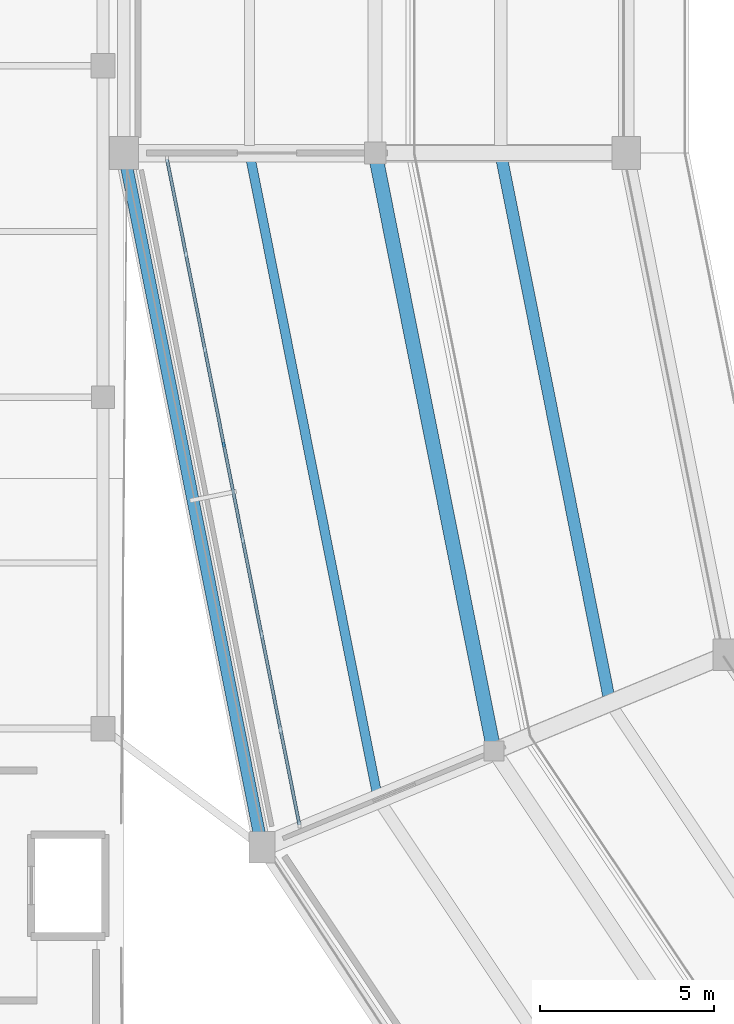
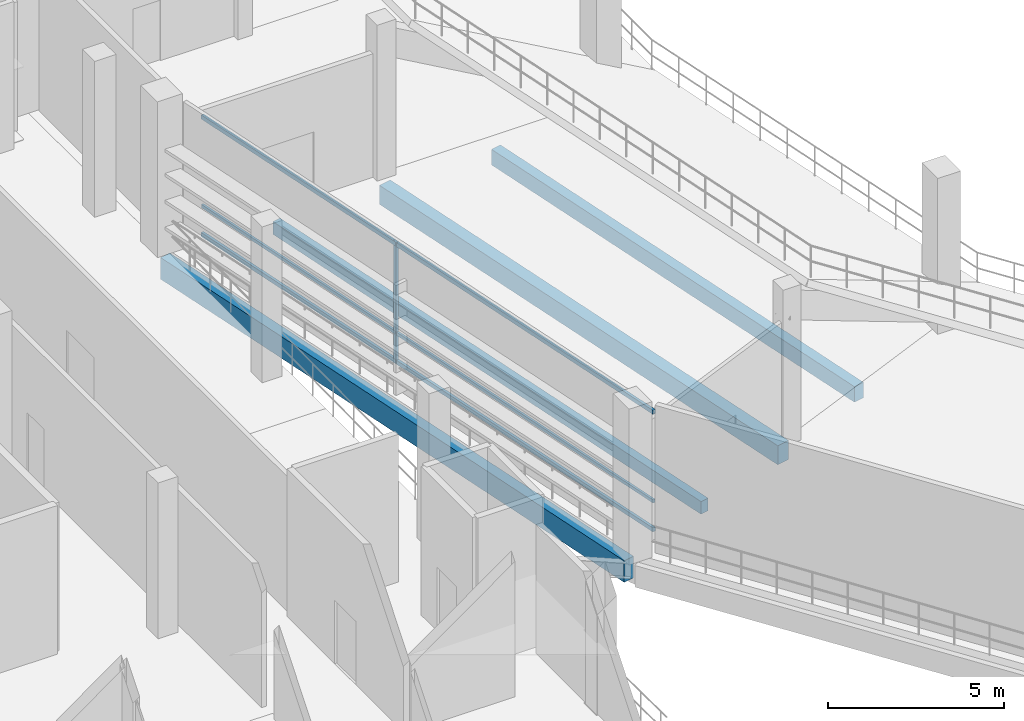
# One storey, part 19 of 127: 4 beams, 4 members, 1 element without a shape of its own.
"""IFC4 building model written with IfcOpenShell, lengths in metres."""

from ifc_helpers import new_model, si_unit, direction, frame, origin, origin_2d, place, context, subcontext, project, spatial, rectangle, extrude, material, material_profile, profile_set, type_object, element, aggregate, save


model = new_model("IFC4")

# Units and contexts
model_context = context("Model", 3, precision=1e-05, world=origin(), true_north=direction((0.0, 1.0)))
body_context = subcontext(model_context, "Body", "Model", "MODEL_VIEW")
ifc_project = project(units=[si_unit("LENGTHUNIT", "METRE"), si_unit("AREAUNIT", "SQUARE_METRE"), si_unit("VOLUMEUNIT", "CUBIC_METRE"), si_unit("PLANEANGLEUNIT", "RADIAN"), si_unit("MASSUNIT", "GRAM", prefix="KILO")], contexts=[model_context])

# Site, building, storey
site_placement = place(None, origin())
site = spatial("IfcSite", under=ifc_project, at=site_placement, CompositionType="ELEMENT")
building_placement = place(site_placement, origin())
building = spatial("IfcBuilding", under=site, at=building_placement, Name="Candeia Ridge Stadium", CompositionType="ELEMENT")
storey_placement = place(building_placement, frame((0.0, 0.0, 10.800048828125)))
storey = spatial("IfcBuildingStorey", under=building, at=storey_placement, Name="L02", CompositionType="ELEMENT", Elevation=10.800048828125)

# Curtain wall, members
ifc_material_1 = material(Name="Aluminium Anodized Warm Bronze", Category="aluminium")
curtain_wall_type = type_object("IfcCurtainWallType", Name="Concourse Recessed Unitised Curtain Wall", PredefinedType="NOTDEFINED", material=ifc_material_1)
curtain_wall_placement = place(storey_placement, origin())
curtain_wall = element("IfcCurtainWall", 1, at=curtain_wall_placement, inside=storey, type_object=curtain_wall_type, Name="Unitised curtain wall CW-BWL-L02-14", PredefinedType="NOTDEFINED")
ifc_material_profile_1 = material_profile(ifc_material_1, rectangle(XDim=0.074951171875, YDim=0.14990234375, at=origin_2d()), Name="CWM-75x150", Category="aluminium")
ifc_profile_set_1 = profile_set([ifc_material_profile_1], Name="Aluminium Anodized Warm Bronze")
member_type_1 = type_object("IfcMemberType", Name="Curtain Wall Secondary Mullion 75x150", PredefinedType="MULLION", material=ifc_profile_set_1)
member_1_placement = place(storey_placement, frame((21.8623046875, 62.643310546875, 0.0), z_axis=(0.0, 0.0, 1.0), x_axis=(1.0, 0.0, 0.0)))
member_1 = element("IfcMember", 2, at=member_1_placement, type_object=member_type_1, Name="Curtain wall mullion CW-BWL-L02-14-M3", PredefinedType="MULLION", context=body_context, shape_type="SweptSolid", body=[
    extrude(rectangle(XDim=0.074951171875, YDim=0.14990234375, at=origin_2d()), origin(), (0.0, 0.0, 1.0), 4.21484375),
])
ifc_material_profile_2 = material_profile(ifc_material_1, rectangle(XDim=0.074951171875, YDim=0.110107421875, at=origin_2d()), Name="CWT-75x110", Category="aluminium")
ifc_profile_set_2 = profile_set([ifc_material_profile_2], Name="Aluminium Anodized Warm Bronze")
member_type_2 = type_object("IfcMemberType", Name="Curtain Wall Secondary Transom 75x110", PredefinedType="USERDEFINED", material=ifc_profile_set_2)
member_2_placement = place(storey_placement, frame((20.235107421875, 70.823486328125, 1.0537109375), z_axis=(0.195085896803, -0.980786160623, 0.0), x_axis=(0.980786160623, 0.195085896803, 0.0)))
member_2 = element("IfcMember", 3, at=member_2_placement, type_object=member_type_2, Name="Curtain wall transom CW-BWL-L02-14-T1", ObjectType="TRANSOM", PredefinedType="USERDEFINED", context=body_context, shape_type="SweptSolid", body=[
    extrude(rectangle(XDim=0.074951171875, YDim=0.110107421875, at=origin_2d()), origin(), (0.0, 0.0, 1.0), 19.46142578125),
])
ifc_material_profile_3 = material_profile(ifc_material_1, rectangle(XDim=0.090087890625, YDim=0.139892578125, at=origin_2d()), Name="CWT-90x140", Category="aluminium")
ifc_profile_set_3 = profile_set([ifc_material_profile_3], Name="Aluminium Anodized Warm Bronze")
member_type_3 = type_object("IfcMemberType", Name="Curtain Wall Transom 90x140", PredefinedType="USERDEFINED", material=ifc_profile_set_3)
member_3_placement = place(storey_placement, frame((20.235107421875, 70.823486328125, 0.070068359375), z_axis=(0.195085896803, -0.980786160623, 0.0), x_axis=(0.980786160623, 0.195085896803, 0.0)))
member_3 = element("IfcMember", 4, at=member_3_placement, type_object=member_type_3, Name="Curtain wall transom CW-BWL-L02-14-T0", ObjectType="TRANSOM", PredefinedType="USERDEFINED", context=body_context, shape_type="SweptSolid", body=[
    extrude(rectangle(XDim=0.090087890625, YDim=0.139892578125, at=origin_2d()), origin(), (0.0, 0.0, 1.0), 19.46142578125),
])
member_4_placement = place(storey_placement, frame((20.235107421875, 70.823486328125, 4.14501953125), z_axis=(0.195085896803, -0.980786160623, 0.0), x_axis=(0.980786160623, 0.195085896803, 0.0)))
member_4 = element("IfcMember", 5, at=member_4_placement, type_object=member_type_3, Name="Curtain wall transom CW-BWL-L02-14-T2", ObjectType="TRANSOM", PredefinedType="USERDEFINED", context=body_context, shape_type="SweptSolid", body=[
    extrude(rectangle(XDim=0.090087890625, YDim=0.139892578125, at=origin_2d()), origin(), (0.0, 0.0, 1.0), 19.46142578125),
])
aggregate(curtain_wall, [member_1, member_3, member_2, member_4])

# Beams
ifc_material_2 = material(Name="Concrete C40/50", Category="concrete")
ifc_material_profile_4 = material_profile(ifc_material_2, rectangle(XDim=0.27001953125, YDim=0.43994140625, at=origin_2d()), Name="RC270x440", Category="concrete")
ifc_profile_set_4 = profile_set([ifc_material_profile_4], Name="Concrete C40/50")
beam_type_1 = type_object("IfcBeamType", Name="Floor Joist RC270x440", PredefinedType="JOIST", material=ifc_profile_set_4)
beam_1_placement = place(storey_placement, frame((22.643310546875, 70.7822265625, -0.47998046875), z_axis=(0.195092537954, -0.980784839623, 0.0), x_axis=(0.980784839623, 0.195092537954, 0.0)))
element("IfcBeam", 6, at=beam_1_placement, inside=storey, type_object=beam_type_1, Name="Concourse secondary joist BM-L02-0382", PredefinedType="JOIST", context=body_context, shape_type="SweptSolid", body=[
    extrude(rectangle(XDim=0.27001953125, YDim=0.43994140625, at=origin_2d()), origin(), (0.0, 0.0, 1.0), 18.440673828125),
])
ifc_material_profile_5 = material_profile(ifc_material_2, rectangle(XDim=0.340087890625, YDim=0.5400390625, at=origin_2d()), Name="RC340x540", Category="concrete")
ifc_profile_set_5 = profile_set([ifc_material_profile_5], Name="Concrete C40/50")
beam_type_2 = type_object("IfcBeamType", Name="Floor Joist RC340x540", PredefinedType="JOIST", material=ifc_profile_set_5)
beam_2_placement = place(storey_placement, frame((29.84326171875, 70.7822265625, -0.530029296875), z_axis=(0.195091809076, -0.980784984607, 0.0), x_axis=(0.980784984607, 0.195091809076, 0.0)))
element("IfcBeam", 7, at=beam_2_placement, inside=storey, type_object=beam_type_2, Name="Concourse secondary joist BM-L02-0381", PredefinedType="JOIST", context=body_context, shape_type="SweptSolid", body=[
    extrude(rectangle(XDim=0.340087890625, YDim=0.5400390625, at=origin_2d()), origin(), (0.0, 0.0, 1.0), 15.63134765625),
])
ifc_material_profile_6 = material_profile(ifc_material_2, rectangle(XDim=0.409912109375, YDim=0.659912109375, at=origin_2d()), Name="RC410x660", Category="concrete")
ifc_profile_set_6 = profile_set([ifc_material_profile_6], Name="Concrete C40/50")
beam_type_3 = type_object("IfcBeamType", Name="Frame Girder RC410x660", PredefinedType="BEAM", material=ifc_profile_set_6)
beam_3_placement = place(storey_placement, frame((26.231201171875, 70.843017578125, -0.590087890625), z_axis=(0.195098234154, -0.980783706548, 0.0), x_axis=(0.980783706548, 0.195098234154, 0.0)))
element("IfcBeam", 8, at=beam_3_placement, inside=storey, type_object=beam_type_3, Name="Concourse spine girder BM-L02-0379", PredefinedType="BEAM", context=body_context, shape_type="SweptSolid", body=[
    extrude(rectangle(XDim=0.409912109375, YDim=0.659912109375, at=origin_2d()), origin(), (0.0, 0.0, 1.0), 17.16015625),
])
ifc_material_3 = material(Name="Concrete C45/55", Category="concrete")
ifc_material_profile_7 = material_profile(ifc_material_3, rectangle(XDim=0.35009765625, YDim=0.75, at=origin_2d()), Name="RC350x750", Category="concrete")
ifc_profile_set_7 = profile_set([ifc_material_profile_7], Name="Concrete C45/55")
beam_type_4 = type_object("IfcBeamType", Name="Spandrel Beam RC350x750", PredefinedType="SPANDREL", material=ifc_profile_set_7)
beam_4_placement = place(storey_placement, frame((19.03125, 70.843017578125, -0.635009765625), z_axis=(0.195086242929, -0.980786091775, 0.0), x_axis=(0.980786091775, 0.195086242929, 0.0)))
element("IfcBeam", 9, at=beam_4_placement, inside=storey, type_object=beam_type_4, Name="Bowl perimeter spandrel BM-L02-0380", PredefinedType="SPANDREL", context=body_context, shape_type="SweptSolid", body=[
    extrude(rectangle(XDim=0.35009765625, YDim=0.75, at=origin_2d()), origin(), (0.0, 0.0, 1.0), 19.969482421875),
])

save(model, "model.ifc")
